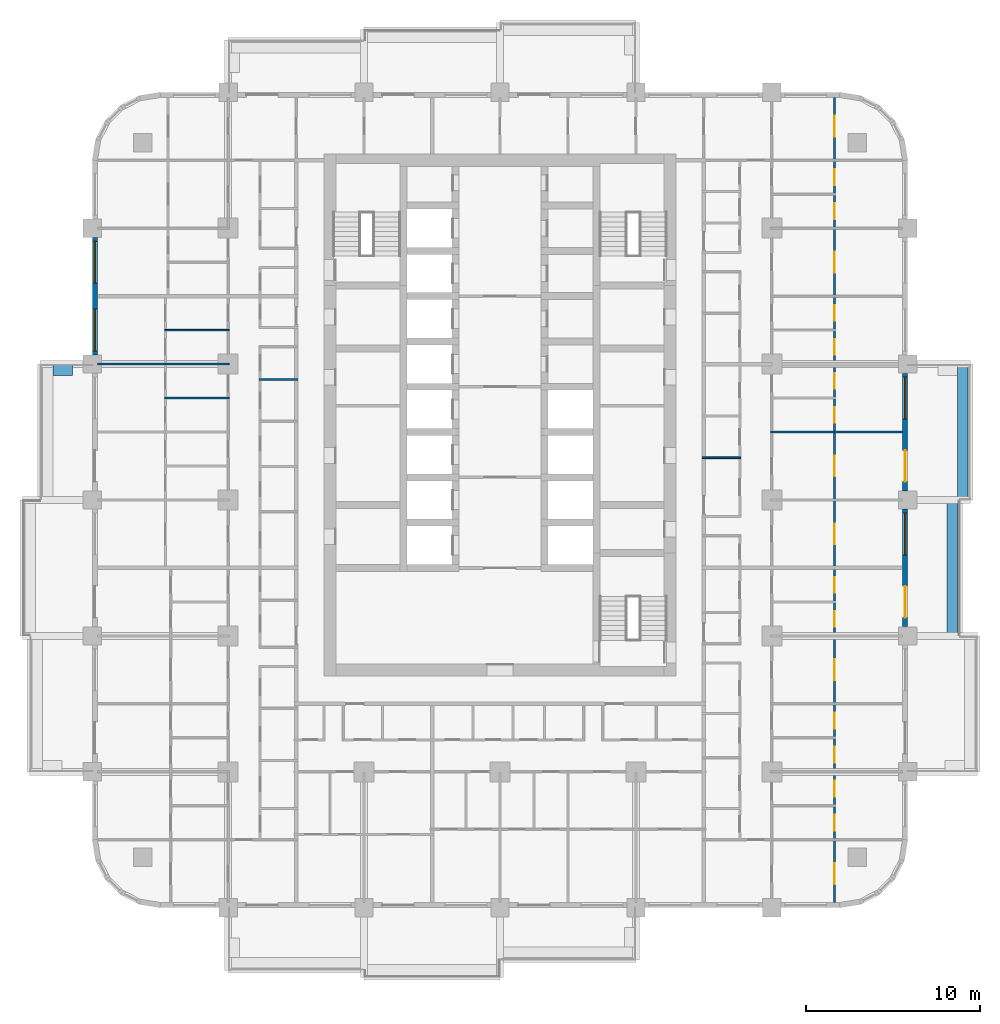
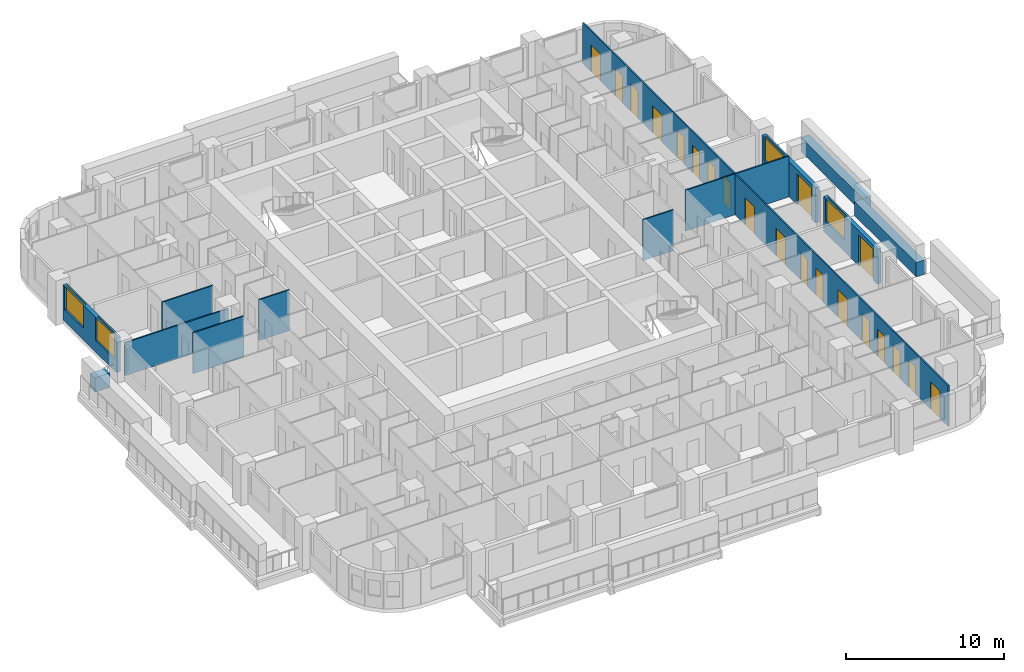
# One storey, part 9 of 17: 20 doors, 13 walls, 4 windows, 24 openings.
"""IFC4 building model written with IfcOpenShell, lengths in metres."""

import ifcopenshell
import ifcopenshell.guid

model = None  # the IFC model being written
_history = None  # IfcOwnerHistory: only IFC2X3 demands one
_inside = {}  # id of a spatial element -> (the spatial element, [elements in it])
_under = {}  # id of a project, library or spatial element -> (it, [spatial elements below it])
_declared = {}  # id of a project -> (the project, [libraries it declares])
_typed = {}  # id of a type object -> (the type object, [elements of that type])
_made_of = {}  # id of a material, layer set ... -> (it, [elements and type objects made of it])


def new_model(schema):
    """Start an empty IFC model of exactly this schema.

    Asked for "IFC4X3", IfcOpenShell would pick the latest addendum, in which some entities
    have other attributes; the version numbers below select the first issue.
    IFC2X3 requires an IfcOwnerHistory on every rooted entity: one is made here for all.
    """
    global model, _history
    if schema == "IFC4X3":
        model = ifcopenshell.file(schema_version=(4, 3, 0, 0))
    else:
        model = ifcopenshell.file(schema=schema)
    _inside.clear()
    _under.clear()
    _declared.clear()
    _typed.clear()
    _made_of.clear()
    _history = None
    if model.schema == "IFC2X3":
        org = make("IfcOrganization", Name="unknown")
        user = make(
            "IfcPersonAndOrganization",
            ThePerson=make("IfcPerson", FamilyName="unknown"),
            TheOrganization=org,
        )
        app = make(
            "IfcApplication",
            ApplicationDeveloper=org,
            Version="unknown",
            ApplicationFullName="unknown",
            ApplicationIdentifier="unknown",
        )
        _history = make(
            "IfcOwnerHistory",
            OwningUser=user,
            OwningApplication=app,
            ChangeAction="ADDED",
            CreationDate=0,
        )
    return model


def make(cls, **values):
    """One entity of the class cls with the attributes given. An attribute that is None is left unset."""
    return model.create_entity(
        cls, **{name: value for name, value in values.items() if value is not None}
    )


def rooted(cls, **values):
    """An entity with a GlobalId (a new one), such as an element, a storey or a relation."""
    return make(cls, GlobalId=ifcopenshell.guid.new(), OwnerHistory=_history, **values)


def si_unit(unit_type, name, prefix=None):
    """IfcSIUnit, for example si_unit("LENGTHUNIT", "METRE", prefix="MILLI")."""
    return make("IfcSIUnit", UnitType=unit_type, Prefix=prefix, Name=name)


def assignment(units):
    """IfcUnitAssignment: the units of a project."""
    return None if units is None else make("IfcUnitAssignment", Units=units)


def point(xyz):
    """IfcCartesianPoint."""
    return None if xyz is None else make("IfcCartesianPoint", Coordinates=xyz)


def direction(xyz):
    """IfcDirection."""
    return None if xyz is None else make("IfcDirection", DirectionRatios=xyz)


def frame(location, z_axis=None, x_axis=None):
    """IfcAxis2Placement3D, a coordinate frame: its origin and axes. An axis left out is left unset."""
    return make(
        "IfcAxis2Placement3D",
        Location=point(location),
        Axis=direction(z_axis),
        RefDirection=direction(x_axis),
    )


def frame_2d(location, x_axis=None):
    """IfcAxis2Placement2D, a coordinate frame in the plane: its origin and x axis."""
    return make(
        "IfcAxis2Placement2D", Location=point(location), RefDirection=direction(x_axis)
    )


def origin():
    """The frame at (0, 0, 0) with its axes left unset."""
    return frame((0.0, 0.0, 0.0))


def place(relative_to, where):
    """IfcLocalPlacement: puts the frame where relative to a parent placement (None: the world)."""
    return make(
        "IfcLocalPlacement", PlacementRelTo=relative_to, RelativePlacement=where
    )


def context(
    kind, dimensions, precision=None, world=None, true_north=None, identifier=None
):
    """IfcGeometricRepresentationContext, for example the 3D "Model" context."""
    return make(
        "IfcGeometricRepresentationContext",
        ContextIdentifier=identifier,
        ContextType=kind,
        CoordinateSpaceDimension=dimensions,
        Precision=precision,
        WorldCoordinateSystem=world,
        TrueNorth=true_north,
    )


def subcontext(parent, identifier, kind, view, scale=None):
    """IfcGeometricRepresentationSubContext, for example "Body" below "Model"."""
    return make(
        "IfcGeometricRepresentationSubContext",
        ContextIdentifier=identifier,
        ContextType=kind,
        ParentContext=parent,
        TargetScale=scale,
        TargetView=view,
    )


def project(units=None, contexts=None):
    """IfcProject with its units and contexts."""
    return rooted(
        "IfcProject",
        Name="project",
        RepresentationContexts=contexts,
        UnitsInContext=assignment(units),
    )


def spatial(cls, under=None, at=None, **own):
    """A site, building, storey or space (cls), placed at a placement, below another one or the project."""
    s = rooted(cls, ObjectPlacement=at, **own)
    if under is not None:
        _under.setdefault(under.id(), (under, []))[1].append(s)
    return s


def profile(cls, at=None, kind="AREA", **sizes):
    """A parametric profile (cls). Its sizes go by their IFC names, for example OverallWidth=200.0."""
    return make(cls, ProfileType=kind, Position=at, **sizes)


def rectangle(**sizes):
    """IfcRectangleProfileDef."""
    return profile("IfcRectangleProfileDef", **sizes)


def extrude(swept, where, along, depth):
    """IfcExtrudedAreaSolid: the profile swept, set in the frame where, extruded along a direction by depth."""
    return make(
        "IfcExtrudedAreaSolid",
        SweptArea=swept,
        Position=where,
        ExtrudedDirection=direction(along),
        Depth=depth,
    )


def shape(context_of_items, identifier, shape_type, items):
    """IfcShapeRepresentation: the items that make up one representation, for example the "Body"."""
    return make(
        "IfcShapeRepresentation",
        ContextOfItems=context_of_items,
        RepresentationIdentifier=identifier,
        RepresentationType=shape_type,
        Items=items,
    )


def material(Name=None, Category=None):
    """IfcMaterial."""
    return make("IfcMaterial", Name=Name, Category=Category)


def layer(
    of_material, thickness, ventilated=None, Name=None, Category=None, Priority=None
):
    """IfcMaterialLayer: one layer of a wall or slab, of a material (None: an air gap)."""
    return make(
        "IfcMaterialLayer",
        Material=of_material,
        LayerThickness=thickness,
        IsVentilated=ventilated,
        Name=Name,
        Category=Category,
        Priority=Priority,
    )


def layer_set(layers, Name=None):
    """IfcMaterialLayerSet."""
    return make("IfcMaterialLayerSet", MaterialLayers=layers, LayerSetName=Name)


def made_of(thing, what):
    """Note that an element or type object is made of a material, layer set ...; save() writes the relation."""
    if what is not None:
        _made_of.setdefault(what.id(), (what, []))[1].append(thing)
    return thing


def type_object(cls, material=None, **own):
    """A type object (cls), such as IfcWallType, which elements share."""
    return made_of(rooted(cls, **own), material)


def element(
    cls,
    number,
    at=None,
    inside=None,
    cuts=None,
    type_object=None,
    material=None,
    context=None,
    identifier="Body",
    shape_type=None,
    held_by="IfcProductDefinitionShape",
    body=None,
    shapes=None,
    **own,
):
    """One element of the class cls, such as IfcWall. Its Tag is "e" and its number.

    at: its placement. inside: the storey or other place that contains it. cuts: it is an
    opening in that element (IfcRelVoidsElement). A single representation is given by context,
    identifier, shape_type and body (its items); several are given by shapes. held_by: the class
    of the entity that holds the representations. save() writes the other relations.
    """
    e = rooted(cls, Tag="e%d" % number, ObjectPlacement=at, **own)
    if body is not None:
        shapes = [shape(context, identifier, shape_type, body)]
    if shapes is not None:
        e.Representation = make(held_by, Representations=shapes)
    if inside is not None:
        _inside.setdefault(inside.id(), (inside, []))[1].append(e)
    if cuts is not None:
        rooted(
            "IfcRelVoidsElement", RelatingBuildingElement=cuts, RelatedOpeningElement=e
        )
    if type_object is not None:
        _typed.setdefault(type_object.id(), (type_object, []))[1].append(e)
    return made_of(e, material)


def fill(opening, filler):
    """IfcRelFillsElement: the door or window that sits in an opening."""
    return rooted(
        "IfcRelFillsElement",
        RelatingOpeningElement=opening,
        RelatedBuildingElement=filler,
    )


def aggregate(whole, parts):
    """IfcRelAggregates: a whole, such as a stair, and the parts it consists of."""
    return rooted("IfcRelAggregates", RelatingObject=whole, RelatedObjects=parts)


def save(model, path):
    """Write the relations noted so far, then the file.

    IfcRelAggregates (storeys below a building ...), IfcRelContainedInSpatialStructure (elements
    in a storey), IfcRelDefinesByType, IfcRelAssociatesMaterial and IfcRelDeclares: one each for
    every whole, place, type object, material and project.
    """
    for whole, parts in _under.values():
        aggregate(whole, parts)
    for where, things in _inside.values():
        rooted(
            "IfcRelContainedInSpatialStructure",
            RelatedElements=things,
            RelatingStructure=where,
        )
    for kind, things in _typed.values():
        rooted("IfcRelDefinesByType", RelatedObjects=things, RelatingType=kind)
    for what, things in _made_of.values():
        rooted("IfcRelAssociatesMaterial", RelatedObjects=things, RelatingMaterial=what)
    for by, libraries in _declared.values():
        rooted("IfcRelDeclares", RelatingContext=by, RelatedDefinitions=libraries)
    model.write(path)


model = new_model("IFC4")

# Units and contexts
model_context = context("Model", 3, precision=1e-05, world=origin(), true_north=direction((0.0, 1.0)))
body_context = subcontext(model_context, "Body", "Model", "MODEL_VIEW")
ifc_project = project(units=[si_unit("LENGTHUNIT", "METRE"), si_unit("AREAUNIT", "SQUARE_METRE"), si_unit("VOLUMEUNIT", "CUBIC_METRE"), si_unit("PLANEANGLEUNIT", "RADIAN"), si_unit("MASSUNIT", "GRAM", prefix="KILO")], contexts=[model_context])

# Site, building, storey
site_placement = place(None, origin())
site = spatial("IfcSite", under=ifc_project, at=site_placement, CompositionType="ELEMENT")
building_placement = place(site_placement, origin())
building = spatial("IfcBuilding", under=site, at=building_placement, Name="Ludao Terraces", CompositionType="ELEMENT")
storey_placement = place(building_placement, frame((0.0, 0.0, 51.199951171875)))
storey = spatial("IfcBuildingStorey", under=building, at=storey_placement, Name="L13", CompositionType="ELEMENT", Elevation=51.199951171875)

# Walls
ifc_material_1 = material(Name="Concrete C40", Category="concrete")
ifc_layer_1 = layer(ifc_material_1, 0.60009765625)
ifc_layer_set_1 = layer_set([ifc_layer_1], Name="ENV Planter trough 600")
wall_type_1 = type_object("IfcWallType", Name="ENV Planter trough 600", PredefinedType="USERDEFINED", material=ifc_layer_set_1)
for number, where, z_axis, x_axis, name in (
    (1, (110.949951171875, 57.199951171875, 0.0), (0.0, 0.0, 1.0), (0.0, 1.0, 0.0), "PL-L13-E2"),
    (2, (111.550048828125, 65.0, 0.0), (0.0, 0.0, 1.0), (0.0, 1.0, 0.0), "PL-L13-E3"),
):
    element("IfcWall", number, at=place(storey_placement, frame(where, z_axis=z_axis, x_axis=x_axis)), inside=storey, type_object=wall_type_1, Name=name, ObjectType="PLANTER", PredefinedType="USERDEFINED", context=body_context, shape_type="SweptSolid", body=[
        extrude(rectangle(XDim=7.800048828125, YDim=0.60009765625, at=frame_2d((3.89990234375, 0.0))), origin(), (0.0, 0.0, 1.0), 1.10009765625),
    ])
wall_1_placement = place(storey_placement, frame((59.35009765625, 72.449951171875, 0.0), z_axis=(0.0, 0.0, 1.0), x_axis=(1.0, 0.0, 0.0)))
element("IfcWall", 3, at=wall_1_placement, inside=storey, type_object=wall_type_1, Name="PL-L13-W3-SB", ObjectType="PLANTER", PredefinedType="USERDEFINED", context=body_context, shape_type="SweptSolid", body=[
    extrude(rectangle(XDim=1.099853515625, YDim=0.60009765625, at=frame_2d((0.5498046875, 0.0))), origin(), (0.0, 0.0, 1.0), 1.10009765625),
])

# Wall, openings, door, window
ifc_material_2 = material(Name="Granite cladding", Category="masonry")
ifc_layer_2 = layer(ifc_material_2, 0.0400390625, Category="stone")
ifc_material_3 = material(Name="Mineral wool")
ifc_layer_3 = layer(ifc_material_3, 0.06005859375)
ifc_layer_4 = layer(ifc_material_1, 0.199951171875, Category="concrete")
ifc_layer_set_2 = layer_set([ifc_layer_2, ifc_layer_3, ifc_layer_4], Name="ENV Stone-clad wall 300")
wall_type_2 = type_object("IfcWallType", Name="ENV Stone-clad wall 300", PredefinedType="SOLIDWALL", material=ifc_layer_set_2)
wall_2_placement = place(storey_placement, frame((108.25, 57.72509765625, 0.0), z_axis=(0.0, 0.0, 1.0), x_axis=(0.0, 1.0, 0.0)))
wall_2 = element("IfcWall", 4, at=wall_2_placement, inside=storey, type_object=wall_type_2, Name="EW-L13-E3", PredefinedType="SOLIDWALL", context=body_context, shape_type="SweptSolid", body=[
    extrude(rectangle(XDim=6.75, YDim=0.300048828125, at=frame_2d((3.375, 0.0))), origin(), (0.0, 0.0, 1.0), 2.699951171875),
])
opening_1_placement = place(wall_2_placement, frame((0.52490234375, 0.0, 0.0)))
opening_1 = element("IfcOpeningElement", 5, at=opening_1_placement, cuts=wall_2, Name="Opening BD", PredefinedType="OPENING", context=body_context, shape_type="SweptSolid", body=[
    extrude(rectangle(XDim=1.800048828125, YDim=2.39990234375, at=frame_2d((0.89990234375, 1.199951171875))), frame((0.0, 0.16015625, 0.0), z_axis=(0.0, -1.0, 0.0), x_axis=(1.0, 0.0, 0.0)), (0.0, 0.0, 1.0), 0.320068359375),
])
opening_2_placement = place(wall_2_placement, frame((4.125, 0.0, 0.89990234375)))
opening_2 = element("IfcOpeningElement", 6, at=opening_2_placement, cuts=wall_2, Name="Opening W1", PredefinedType="OPENING", context=body_context, shape_type="SweptSolid", body=[
    extrude(rectangle(XDim=2.39990234375, YDim=1.800048828125, at=frame_2d((1.199951171875, 0.89990234375))), frame((0.0, 0.16015625, 0.0), z_axis=(0.0, -1.0, 0.0), x_axis=(1.0, 0.0, 0.0)), (0.0, 0.0, 1.0), 0.320068359375),
])
ifc_material_4 = material(Name="Aluminium glazed door", Category="aluminium")
ifc_layer_5 = layer(ifc_material_4, 0.06005859375)
ifc_layer_set_3 = layer_set([ifc_layer_5], Name="ENV Balcony door BD 1800x2400")
door_type_1 = type_object("IfcDoorType", Name="ENV Balcony door BD 1800x2400", OperationType="DOUBLE_DOOR_SINGLE_SWING", PredefinedType="DOOR", material=ifc_layer_set_3)
door_1_placement = place(opening_1_placement, origin())
door_1 = element("IfcDoor", 7, at=door_1_placement, inside=storey, type_object=door_type_1, Name="BD-L13-E3-1", OperationType="DOUBLE_DOOR_SINGLE_SWING", OverallHeight=2.39990234375, OverallWidth=1.800048828125, PredefinedType="DOOR", context=body_context, shape_type="SweptSolid", body=[
    extrude(rectangle(XDim=1.800048828125, YDim=2.39990234375, at=frame_2d((0.89990234375, 1.199951171875))), frame((0.0, 0.02490234375, 0.0), z_axis=(0.0, -1.0, 0.0), x_axis=(1.0, 0.0, 0.0)), (0.0, 0.0, 1.0), 0.050048828125),
])
fill(opening_1, door_1)
ifc_material_5 = material(Name="Clear glass in aluminium frame", Category="aluminium")
ifc_layer_6 = layer(ifc_material_5, 0.06005859375)
ifc_layer_set_4 = layer_set([ifc_layer_6], Name="ENV Window W1 2400x1800")
window_type = type_object("IfcWindowType", Name="ENV Window W1 2400x1800", PartitioningType="DOUBLE_PANEL_VERTICAL", PredefinedType="WINDOW", material=ifc_layer_set_4)
window_1_placement = place(opening_2_placement, origin())
window_1 = element("IfcWindow", 8, at=window_1_placement, inside=storey, type_object=window_type, Name="W-L13-E3-2", OverallHeight=1.800048828125, OverallWidth=2.39990234375, PartitioningType="DOUBLE_PANEL_VERTICAL", PredefinedType="WINDOW", context=body_context, shape_type="SweptSolid", body=[
    extrude(rectangle(XDim=2.39990234375, YDim=1.800048828125, at=frame_2d((1.199951171875, 0.89990234375))), frame((0.0, 0.030029296875, 0.0), z_axis=(0.0, -1.0, 0.0), x_axis=(1.0, 0.0, 0.0)), (0.0, 0.0, 1.0), 0.06005859375),
])
fill(opening_2, window_1)

wall_3_placement = place(storey_placement, frame((108.25, 65.52490234375, 0.0), z_axis=(0.0, 0.0, 1.0), x_axis=(0.0, 1.0, 0.0)))
wall_3 = element("IfcWall", 9, at=wall_3_placement, inside=storey, type_object=wall_type_2, Name="EW-L13-E4", PredefinedType="SOLIDWALL", context=body_context, shape_type="SweptSolid", body=[
    extrude(rectangle(XDim=6.75, YDim=0.300048828125, at=frame_2d((3.375, 0.0))), origin(), (0.0, 0.0, 1.0), 2.699951171875),
])
opening_3_placement = place(wall_3_placement, frame((0.52490234375, 0.0, 0.0)))
opening_3 = element("IfcOpeningElement", 10, at=opening_3_placement, cuts=wall_3, Name="Opening BD", PredefinedType="OPENING", context=body_context, shape_type="SweptSolid", body=[
    extrude(rectangle(XDim=1.800048828125, YDim=2.39990234375, at=frame_2d((0.89990234375, 1.199951171875))), frame((0.0, 0.16015625, 0.0), z_axis=(0.0, -1.0, 0.0), x_axis=(1.0, 0.0, 0.0)), (0.0, 0.0, 1.0), 0.320068359375),
])
opening_4_placement = place(wall_3_placement, frame((4.125, 0.0, 0.89990234375)))
opening_4 = element("IfcOpeningElement", 11, at=opening_4_placement, cuts=wall_3, Name="Opening W1", PredefinedType="OPENING", context=body_context, shape_type="SweptSolid", body=[
    extrude(rectangle(XDim=2.39990234375, YDim=1.800048828125, at=frame_2d((1.199951171875, 0.89990234375))), frame((0.0, 0.16015625, 0.0), z_axis=(0.0, -1.0, 0.0), x_axis=(1.0, 0.0, 0.0)), (0.0, 0.0, 1.0), 0.320068359375),
])
door_2_placement = place(opening_3_placement, origin())
door_2 = element("IfcDoor", 12, at=door_2_placement, inside=storey, type_object=door_type_1, Name="BD-L13-E4-1", OperationType="DOUBLE_DOOR_SINGLE_SWING", OverallHeight=2.39990234375, OverallWidth=1.800048828125, PredefinedType="DOOR", context=body_context, shape_type="SweptSolid", body=[
    extrude(rectangle(XDim=1.800048828125, YDim=2.39990234375, at=frame_2d((0.89990234375, 1.199951171875))), frame((0.0, 0.02490234375, 0.0), z_axis=(0.0, -1.0, 0.0), x_axis=(1.0, 0.0, 0.0)), (0.0, 0.0, 1.0), 0.050048828125),
])
fill(opening_3, door_2)
window_2_placement = place(opening_4_placement, origin())
window_2 = element("IfcWindow", 13, at=window_2_placement, inside=storey, type_object=window_type, Name="W-L13-E4-2", OverallHeight=1.800048828125, OverallWidth=2.39990234375, PartitioningType="DOUBLE_PANEL_VERTICAL", PredefinedType="WINDOW", context=body_context, shape_type="SweptSolid", body=[
    extrude(rectangle(XDim=2.39990234375, YDim=1.800048828125, at=frame_2d((1.199951171875, 0.89990234375))), frame((0.0, 0.030029296875, 0.0), z_axis=(0.0, -1.0, 0.0), x_axis=(1.0, 0.0, 0.0)), (0.0, 0.0, 1.0), 0.06005859375),
])
fill(opening_4, window_2)

# Wall, openings, windows
wall_4_placement = place(storey_placement, frame((61.75, 73.324951171875, 0.0), z_axis=(0.0, 0.0, 1.0), x_axis=(0.0, 1.0, 0.0)))
wall_4 = element("IfcWall", 14, at=wall_4_placement, inside=storey, type_object=wall_type_2, Name="EW-L13-W5", PredefinedType="SOLIDWALL", context=body_context, shape_type="SweptSolid", body=[
    extrude(rectangle(XDim=6.75, YDim=0.300048828125, at=frame_2d((3.375, 0.0))), origin(), (0.0, 0.0, 1.0), 2.699951171875),
])
opening_5_placement = place(wall_4_placement, frame((0.22509765625, 0.0, 0.89990234375)))
opening_5 = element("IfcOpeningElement", 15, at=opening_5_placement, cuts=wall_4, Name="Opening W1", PredefinedType="OPENING", context=body_context, shape_type="SweptSolid", body=[
    extrude(rectangle(XDim=2.39990234375, YDim=1.800048828125, at=frame_2d((1.199951171875, 0.89990234375))), frame((0.0, 0.16015625, 0.0), z_axis=(0.0, -1.0, 0.0), x_axis=(1.0, 0.0, 0.0)), (0.0, 0.0, 1.0), 0.320068359375),
])
opening_6_placement = place(wall_4_placement, frame((4.125, 0.0, 0.89990234375)))
opening_6 = element("IfcOpeningElement", 16, at=opening_6_placement, cuts=wall_4, Name="Opening W1", PredefinedType="OPENING", context=body_context, shape_type="SweptSolid", body=[
    extrude(rectangle(XDim=2.39990234375, YDim=1.800048828125, at=frame_2d((1.199951171875, 0.89990234375))), frame((0.0, 0.16015625, 0.0), z_axis=(0.0, -1.0, 0.0), x_axis=(1.0, 0.0, 0.0)), (0.0, 0.0, 1.0), 0.320068359375),
])
window_3_placement = place(opening_5_placement, origin())
window_3 = element("IfcWindow", 17, at=window_3_placement, inside=storey, type_object=window_type, Name="W-L13-W5-1", OverallHeight=1.800048828125, OverallWidth=2.39990234375, PartitioningType="DOUBLE_PANEL_VERTICAL", PredefinedType="WINDOW", context=body_context, shape_type="SweptSolid", body=[
    extrude(rectangle(XDim=2.39990234375, YDim=1.800048828125, at=frame_2d((1.199951171875, 0.89990234375))), frame((0.0, 0.030029296875, 0.0), z_axis=(0.0, -1.0, 0.0), x_axis=(1.0, 0.0, 0.0)), (0.0, 0.0, 1.0), 0.06005859375),
])
fill(opening_5, window_3)
window_4_placement = place(opening_6_placement, origin())
window_4 = element("IfcWindow", 18, at=window_4_placement, inside=storey, type_object=window_type, Name="W-L13-W5-2", OverallHeight=1.800048828125, OverallWidth=2.39990234375, PartitioningType="DOUBLE_PANEL_VERTICAL", PredefinedType="WINDOW", context=body_context, shape_type="SweptSolid", body=[
    extrude(rectangle(XDim=2.39990234375, YDim=1.800048828125, at=frame_2d((1.199951171875, 0.89990234375))), frame((0.0, 0.030029296875, 0.0), z_axis=(0.0, -1.0, 0.0), x_axis=(1.0, 0.0, 0.0)), (0.0, 0.0, 1.0), 0.06005859375),
])
fill(opening_6, window_4)

# Walls
ifc_material_6 = material(Name="Gypsum plasterboard", Category="gypsum")
ifc_layer_7 = layer(ifc_material_6, 0.012451171875, Category="gypsum")
ifc_layer_8 = layer(ifc_material_3, 0.06005859375, Name="insulation")
ifc_material_7 = material(Name="Steel Q235", Category="steel")
ifc_layer_9 = layer(ifc_material_7, 0.014892578125, Name="stud")
ifc_layer_10 = layer(ifc_material_6, 0.012451171875, Category="gypsum")
ifc_layer_set_5 = layer_set([ifc_layer_7, ifc_layer_8, ifc_layer_9, ifc_layer_10], Name="INT Partition 100")
wall_type_3 = type_object("IfcWallType", Name="INT Partition 100", PredefinedType="PARTITIONING", material=ifc_layer_set_5)
wall_5_placement = place(storey_placement, frame((96.60009765625, 67.419921875, 0.0), z_axis=(0.0, 0.0, 1.0), x_axis=(1.0, 0.0, 0.0)))
element("IfcWall", 19, at=wall_5_placement, inside=storey, type_object=wall_type_3, Name="PW-L13-PW044", PredefinedType="PARTITIONING", context=body_context, shape_type="SweptSolid", body=[
    extrude(rectangle(XDim=2.219970703125, YDim=0.10009765625, at=frame_2d((1.10986328125, 0.0))), origin(), (0.0, 0.0, 1.0), 3.150146484375),
])
wall_6_placement = place(storey_placement, frame((100.550048828125, 68.89990234375, 0.0), z_axis=(0.0, 0.0, 1.0), x_axis=(1.0, 0.0, 0.0)))
element("IfcWall", 20, at=wall_6_placement, inside=storey, type_object=wall_type_3, Name="PW-L13-PW046", PredefinedType="PARTITIONING", context=body_context, shape_type="SweptSolid", body=[
    extrude(rectangle(XDim=7.550048828125, YDim=0.10009765625, at=frame_2d((3.77490234375, 0.0))), origin(), (0.0, 0.0, 1.0), 3.150146484375),
])
wall_7_placement = place(storey_placement, frame((65.75, 70.85009765625, 0.0), z_axis=(0.0, 0.0, 1.0), x_axis=(1.0, 0.0, 0.0)))
element("IfcWall", 21, at=wall_7_placement, inside=storey, type_object=wall_type_3, Name="PW-L13-PW051", PredefinedType="PARTITIONING", context=body_context, shape_type="SweptSolid", body=[
    extrude(rectangle(XDim=3.7001953125, YDim=0.10009765625, at=frame_2d((1.85009765625, 0.0))), origin(), (0.0, 0.0, 1.0), 3.150146484375),
])
wall_8_placement = place(storey_placement, frame((71.18017578125, 71.919921875, 0.0), z_axis=(0.0, 0.0, 1.0), x_axis=(1.0, 0.0, 0.0)))
element("IfcWall", 22, at=wall_8_placement, inside=storey, type_object=wall_type_3, Name="PW-L13-PW054", PredefinedType="PARTITIONING", context=body_context, shape_type="SweptSolid", body=[
    extrude(rectangle(XDim=2.219970703125, YDim=0.10009765625, at=frame_2d((1.10986328125, 0.0))), origin(), (0.0, 0.0, 1.0), 3.150146484375),
])
wall_9_placement = place(storey_placement, frame((61.900146484375, 72.800048828125, 0.0), z_axis=(0.0, 0.0, 1.0), x_axis=(1.0, 0.0, 0.0)))
element("IfcWall", 23, at=wall_9_placement, inside=storey, type_object=wall_type_3, Name="PW-L13-PW055", PredefinedType="PARTITIONING", context=body_context, shape_type="SweptSolid", body=[
    extrude(rectangle(XDim=7.550048828125, YDim=0.10009765625, at=frame_2d((3.77490234375, 0.0))), origin(), (0.0, 0.0, 1.0), 2.550048828125),
])
wall_10_placement = place(storey_placement, frame((65.75, 74.75, 0.0), z_axis=(0.0, 0.0, 1.0), x_axis=(1.0, 0.0, 0.0)))
element("IfcWall", 24, at=wall_10_placement, inside=storey, type_object=wall_type_3, Name="PW-L13-PW058", PredefinedType="PARTITIONING", context=body_context, shape_type="SweptSolid", body=[
    extrude(rectangle(XDim=3.7001953125, YDim=0.10009765625, at=frame_2d((1.85009765625, 0.0))), origin(), (0.0, 0.0, 1.0), 3.150146484375),
])

# Wall, openings, doors
wall_11_placement = place(storey_placement, frame((104.199951171875, 41.900146484375, 0.0), z_axis=(0.0, 0.0, 1.0), x_axis=(0.0, 1.0, 0.0)))
wall_11 = element("IfcWall", 25, at=wall_11_placement, inside=storey, type_object=wall_type_3, Name="PW-L13-PW121", PredefinedType="PARTITIONING", context=body_context, shape_type="SweptSolid", body=[
    extrude(rectangle(XDim=46.199951171875, YDim=0.10009765625, at=frame_2d((23.10009765625, 0.0))), origin(), (0.0, 0.0, 1.0), 3.150146484375),
])
opening_7_placement = place(wall_11_placement, frame((1.050048828125, 0.0, 0.0)))
opening_7 = element("IfcOpeningElement", 26, at=opening_7_placement, cuts=wall_11, Name="Opening R04-004", PredefinedType="OPENING", context=body_context, shape_type="SweptSolid", body=[
    extrude(rectangle(XDim=1.199951171875, YDim=2.10009765625, at=frame_2d((0.60009765625, 1.050048828125))), frame((0.0, 0.06005859375, 0.0), z_axis=(0.0, -1.0, 0.0), x_axis=(1.0, 0.0, 0.0)), (0.0, 0.0, 1.0), 0.1201171875),
])
opening_8_placement = place(wall_11_placement, frame((4.125, 0.0, 0.0)))
opening_8 = element("IfcOpeningElement", 27, at=opening_8_placement, cuts=wall_11, Name="Opening R04-019", PredefinedType="OPENING", context=body_context, shape_type="SweptSolid", body=[
    extrude(rectangle(XDim=0.89990234375, YDim=2.10009765625, at=frame_2d((0.449951171875, 1.050048828125))), frame((0.0, 0.06005859375, 0.0), z_axis=(0.0, -1.0, 0.0), x_axis=(1.0, 0.0, 0.0)), (0.0, 0.0, 1.0), 0.1201171875),
])
opening_9_placement = place(wall_11_placement, frame((6.074951171875, 0.0, 0.0)))
opening_9 = element("IfcOpeningElement", 28, at=opening_9_placement, cuts=wall_11, Name="Opening R04-023", PredefinedType="OPENING", context=body_context, shape_type="SweptSolid", body=[
    extrude(rectangle(XDim=0.89990234375, YDim=2.10009765625, at=frame_2d((0.449951171875, 1.050048828125))), frame((0.0, 0.06005859375, 0.0), z_axis=(0.0, -1.0, 0.0), x_axis=(1.0, 0.0, 0.0)), (0.0, 0.0, 1.0), 0.1201171875),
])
opening_10_placement = place(wall_11_placement, frame((8.02490234375, 0.0, 0.0)))
opening_10 = element("IfcOpeningElement", 29, at=opening_10_placement, cuts=wall_11, Name="Opening R04-033", PredefinedType="OPENING", context=body_context, shape_type="SweptSolid", body=[
    extrude(rectangle(XDim=0.89990234375, YDim=2.10009765625, at=frame_2d((0.449951171875, 1.050048828125))), frame((0.0, 0.06005859375, 0.0), z_axis=(0.0, -1.0, 0.0), x_axis=(1.0, 0.0, 0.0)), (0.0, 0.0, 1.0), 0.1201171875),
])
opening_11_placement = place(wall_11_placement, frame((9.97509765625, 0.0, 0.0)))
opening_11 = element("IfcOpeningElement", 30, at=opening_11_placement, cuts=wall_11, Name="Opening R04-048", PredefinedType="OPENING", context=body_context, shape_type="SweptSolid", body=[
    extrude(rectangle(XDim=0.89990234375, YDim=2.10009765625, at=frame_2d((0.449951171875, 1.050048828125))), frame((0.0, 0.06005859375, 0.0), z_axis=(0.0, -1.0, 0.0), x_axis=(1.0, 0.0, 0.0)), (0.0, 0.0, 1.0), 0.1201171875),
])
opening_12_placement = place(wall_11_placement, frame((12.75, 0.0, 0.0)))
opening_12 = element("IfcOpeningElement", 31, at=opening_12_placement, cuts=wall_11, Name="Opening R04-057", PredefinedType="OPENING", context=body_context, shape_type="SweptSolid", body=[
    extrude(rectangle(XDim=1.199951171875, YDim=2.10009765625, at=frame_2d((0.60009765625, 1.050048828125))), frame((0.0, 0.06005859375, 0.0), z_axis=(0.0, -1.0, 0.0), x_axis=(1.0, 0.0, 0.0)), (0.0, 0.0, 1.0), 0.1201171875),
])
opening_13_placement = place(wall_11_placement, frame((15.824951171875, 0.0, 0.0)))
opening_13 = element("IfcOpeningElement", 32, at=opening_13_placement, cuts=wall_11, Name="Opening R04-065", PredefinedType="OPENING", context=body_context, shape_type="SweptSolid", body=[
    extrude(rectangle(XDim=0.89990234375, YDim=2.10009765625, at=frame_2d((0.449951171875, 1.050048828125))), frame((0.0, 0.06005859375, 0.0), z_axis=(0.0, -1.0, 0.0), x_axis=(1.0, 0.0, 0.0)), (0.0, 0.0, 1.0), 0.1201171875),
])
opening_14_placement = place(wall_11_placement, frame((17.77490234375, 0.0, 0.0)))
opening_14 = element("IfcOpeningElement", 33, at=opening_14_placement, cuts=wall_11, Name="Opening R04-070", PredefinedType="OPENING", context=body_context, shape_type="SweptSolid", body=[
    extrude(rectangle(XDim=0.89990234375, YDim=2.10009765625, at=frame_2d((0.449951171875, 1.050048828125))), frame((0.0, 0.06005859375, 0.0), z_axis=(0.0, -1.0, 0.0), x_axis=(1.0, 0.0, 0.0)), (0.0, 0.0, 1.0), 0.1201171875),
])
opening_15_placement = place(wall_11_placement, frame((20.550048828125, 0.0, 0.0)))
opening_15 = element("IfcOpeningElement", 34, at=opening_15_placement, cuts=wall_11, Name="Opening R04-080", PredefinedType="OPENING", context=body_context, shape_type="SweptSolid", body=[
    extrude(rectangle(XDim=1.199951171875, YDim=2.10009765625, at=frame_2d((0.60009765625, 1.050048828125))), frame((0.0, 0.06005859375, 0.0), z_axis=(0.0, -1.0, 0.0), x_axis=(1.0, 0.0, 0.0)), (0.0, 0.0, 1.0), 0.1201171875),
])
opening_16_placement = place(wall_11_placement, frame((24.449951171875, 0.0, 0.0)))
opening_16 = element("IfcOpeningElement", 35, at=opening_16_placement, cuts=wall_11, Name="Opening R04-089", PredefinedType="OPENING", context=body_context, shape_type="SweptSolid", body=[
    extrude(rectangle(XDim=1.199951171875, YDim=2.10009765625, at=frame_2d((0.60009765625, 1.050048828125))), frame((0.0, 0.06005859375, 0.0), z_axis=(0.0, -1.0, 0.0), x_axis=(1.0, 0.0, 0.0)), (0.0, 0.0, 1.0), 0.1201171875),
])
opening_17_placement = place(wall_11_placement, frame((27.52490234375, 0.0, 0.0)))
opening_17 = element("IfcOpeningElement", 36, at=opening_17_placement, cuts=wall_11, Name="Opening R04-098", PredefinedType="OPENING", context=body_context, shape_type="SweptSolid", body=[
    extrude(rectangle(XDim=0.89990234375, YDim=2.10009765625, at=frame_2d((0.449951171875, 1.050048828125))), frame((0.0, 0.06005859375, 0.0), z_axis=(0.0, -1.0, 0.0), x_axis=(1.0, 0.0, 0.0)), (0.0, 0.0, 1.0), 0.1201171875),
])
opening_18_placement = place(wall_11_placement, frame((29.47509765625, 0.0, 0.0)))
opening_18 = element("IfcOpeningElement", 37, at=opening_18_placement, cuts=wall_11, Name="Opening R04-106", PredefinedType="OPENING", context=body_context, shape_type="SweptSolid", body=[
    extrude(rectangle(XDim=0.89990234375, YDim=2.10009765625, at=frame_2d((0.449951171875, 1.050048828125))), frame((0.0, 0.06005859375, 0.0), z_axis=(0.0, -1.0, 0.0), x_axis=(1.0, 0.0, 0.0)), (0.0, 0.0, 1.0), 0.1201171875),
])
opening_19_placement = place(wall_11_placement, frame((31.425048828125, 0.0, 0.0)))
opening_19 = element("IfcOpeningElement", 38, at=opening_19_placement, cuts=wall_11, Name="Opening R04-113", PredefinedType="OPENING", context=body_context, shape_type="SweptSolid", body=[
    extrude(rectangle(XDim=0.89990234375, YDim=2.10009765625, at=frame_2d((0.449951171875, 1.050048828125))), frame((0.0, 0.06005859375, 0.0), z_axis=(0.0, -1.0, 0.0), x_axis=(1.0, 0.0, 0.0)), (0.0, 0.0, 1.0), 0.1201171875),
])
opening_20_placement = place(wall_11_placement, frame((33.375, 0.0, 0.0)))
opening_20 = element("IfcOpeningElement", 39, at=opening_20_placement, cuts=wall_11, Name="Opening R04-123", PredefinedType="OPENING", context=body_context, shape_type="SweptSolid", body=[
    extrude(rectangle(XDim=0.89990234375, YDim=2.10009765625, at=frame_2d((0.449951171875, 1.050048828125))), frame((0.0, 0.06005859375, 0.0), z_axis=(0.0, -1.0, 0.0), x_axis=(1.0, 0.0, 0.0)), (0.0, 0.0, 1.0), 0.1201171875),
])
opening_21_placement = place(wall_11_placement, frame((36.14990234375, 0.0, 0.0)))
opening_21 = element("IfcOpeningElement", 40, at=opening_21_placement, cuts=wall_11, Name="Opening R04-134", PredefinedType="OPENING", context=body_context, shape_type="SweptSolid", body=[
    extrude(rectangle(XDim=1.199951171875, YDim=2.10009765625, at=frame_2d((0.60009765625, 1.050048828125))), frame((0.0, 0.06005859375, 0.0), z_axis=(0.0, -1.0, 0.0), x_axis=(1.0, 0.0, 0.0)), (0.0, 0.0, 1.0), 0.1201171875),
])
opening_22_placement = place(wall_11_placement, frame((39.22509765625, 0.0, 0.0)))
opening_22 = element("IfcOpeningElement", 41, at=opening_22_placement, cuts=wall_11, Name="Opening R04-143", PredefinedType="OPENING", context=body_context, shape_type="SweptSolid", body=[
    extrude(rectangle(XDim=0.89990234375, YDim=2.10009765625, at=frame_2d((0.449951171875, 1.050048828125))), frame((0.0, 0.06005859375, 0.0), z_axis=(0.0, -1.0, 0.0), x_axis=(1.0, 0.0, 0.0)), (0.0, 0.0, 1.0), 0.1201171875),
])
opening_23_placement = place(wall_11_placement, frame((41.175048828125, 0.0, 0.0)))
opening_23 = element("IfcOpeningElement", 42, at=opening_23_placement, cuts=wall_11, Name="Opening R04-151", PredefinedType="OPENING", context=body_context, shape_type="SweptSolid", body=[
    extrude(rectangle(XDim=0.89990234375, YDim=2.10009765625, at=frame_2d((0.449951171875, 1.050048828125))), frame((0.0, 0.06005859375, 0.0), z_axis=(0.0, -1.0, 0.0), x_axis=(1.0, 0.0, 0.0)), (0.0, 0.0, 1.0), 0.1201171875),
])
opening_24_placement = place(wall_11_placement, frame((43.949951171875, 0.0, 0.0)))
opening_24 = element("IfcOpeningElement", 43, at=opening_24_placement, cuts=wall_11, Name="Opening R04-164", PredefinedType="OPENING", context=body_context, shape_type="SweptSolid", body=[
    extrude(rectangle(XDim=1.199951171875, YDim=2.10009765625, at=frame_2d((0.60009765625, 1.050048828125))), frame((0.0, 0.06005859375, 0.0), z_axis=(0.0, -1.0, 0.0), x_axis=(1.0, 0.0, 0.0)), (0.0, 0.0, 1.0), 0.1201171875),
])
ifc_material_8 = material(Name="Timber door leaf", Category="wood")
door_type_2 = type_object("IfcDoorType", Name="INT Bathroom door 900", OperationType="SINGLE_SWING_LEFT", PredefinedType="DOOR", material=ifc_material_8)
door_3_placement = place(opening_8_placement, origin())
door_3 = element("IfcDoor", 44, at=door_3_placement, inside=storey, type_object=door_type_2, Name="DOOR 019", OperationType="SINGLE_SWING_LEFT", OverallHeight=2.10009765625, OverallWidth=0.89990234375, PredefinedType="DOOR", context=body_context, shape_type="SweptSolid", body=[
    extrude(rectangle(XDim=0.89990234375, YDim=2.10009765625, at=frame_2d((0.449951171875, 1.050048828125))), frame((0.0, 0.02490234375, 0.0), z_axis=(0.0, -1.0, 0.0), x_axis=(1.0, 0.0, 0.0)), (0.0, 0.0, 1.0), 0.050048828125),
])
fill(opening_8, door_3)
door_4_placement = place(opening_10_placement, origin())
door_4 = element("IfcDoor", 45, at=door_4_placement, inside=storey, type_object=door_type_2, Name="DOOR 033", OperationType="SINGLE_SWING_LEFT", OverallHeight=2.10009765625, OverallWidth=0.89990234375, PredefinedType="DOOR", context=body_context, shape_type="SweptSolid", body=[
    extrude(rectangle(XDim=0.89990234375, YDim=2.10009765625, at=frame_2d((0.449951171875, 1.050048828125))), frame((0.0, 0.02490234375, 0.0), z_axis=(0.0, -1.0, 0.0), x_axis=(1.0, 0.0, 0.0)), (0.0, 0.0, 1.0), 0.050048828125),
])
fill(opening_10, door_4)
door_5_placement = place(opening_13_placement, origin())
door_5 = element("IfcDoor", 46, at=door_5_placement, inside=storey, type_object=door_type_2, Name="DOOR 065", OperationType="SINGLE_SWING_RIGHT", OverallHeight=2.10009765625, OverallWidth=0.89990234375, PredefinedType="DOOR", context=body_context, shape_type="SweptSolid", body=[
    extrude(rectangle(XDim=0.89990234375, YDim=2.10009765625, at=frame_2d((0.449951171875, 1.050048828125))), frame((0.0, 0.02490234375, 0.0), z_axis=(0.0, -1.0, 0.0), x_axis=(1.0, 0.0, 0.0)), (0.0, 0.0, 1.0), 0.050048828125),
])
fill(opening_13, door_5)
door_6_placement = place(opening_17_placement, origin())
door_6 = element("IfcDoor", 47, at=door_6_placement, inside=storey, type_object=door_type_2, Name="DOOR 098", OperationType="SINGLE_SWING_LEFT", OverallHeight=2.10009765625, OverallWidth=0.89990234375, PredefinedType="DOOR", context=body_context, shape_type="SweptSolid", body=[
    extrude(rectangle(XDim=0.89990234375, YDim=2.10009765625, at=frame_2d((0.449951171875, 1.050048828125))), frame((0.0, 0.02490234375, 0.0), z_axis=(0.0, -1.0, 0.0), x_axis=(1.0, 0.0, 0.0)), (0.0, 0.0, 1.0), 0.050048828125),
])
fill(opening_17, door_6)
door_7_placement = place(opening_19_placement, origin())
door_7 = element("IfcDoor", 48, at=door_7_placement, inside=storey, type_object=door_type_2, Name="DOOR 113", OperationType="SINGLE_SWING_LEFT", OverallHeight=2.10009765625, OverallWidth=0.89990234375, PredefinedType="DOOR", context=body_context, shape_type="SweptSolid", body=[
    extrude(rectangle(XDim=0.89990234375, YDim=2.10009765625, at=frame_2d((0.449951171875, 1.050048828125))), frame((0.0, 0.02490234375, 0.0), z_axis=(0.0, -1.0, 0.0), x_axis=(1.0, 0.0, 0.0)), (0.0, 0.0, 1.0), 0.050048828125),
])
fill(opening_19, door_7)
door_8_placement = place(opening_22_placement, origin())
door_8 = element("IfcDoor", 49, at=door_8_placement, inside=storey, type_object=door_type_2, Name="DOOR 143", OperationType="SINGLE_SWING_LEFT", OverallHeight=2.10009765625, OverallWidth=0.89990234375, PredefinedType="DOOR", context=body_context, shape_type="SweptSolid", body=[
    extrude(rectangle(XDim=0.89990234375, YDim=2.10009765625, at=frame_2d((0.449951171875, 1.050048828125))), frame((0.0, 0.02490234375, 0.0), z_axis=(0.0, -1.0, 0.0), x_axis=(1.0, 0.0, 0.0)), (0.0, 0.0, 1.0), 0.050048828125),
])
fill(opening_22, door_8)
door_type_3 = type_object("IfcDoorType", Name="INT Double door 1200", OperationType="DOUBLE_DOOR_SINGLE_SWING", PredefinedType="DOOR", material=ifc_material_8)
door_9_placement = place(opening_7_placement, origin())
door_9 = element("IfcDoor", 50, at=door_9_placement, inside=storey, type_object=door_type_3, Name="DOOR 004", OperationType="DOUBLE_DOOR_SINGLE_SWING", OverallHeight=2.10009765625, OverallWidth=1.199951171875, PredefinedType="DOOR", context=body_context, shape_type="SweptSolid", body=[
    extrude(rectangle(XDim=1.199951171875, YDim=2.10009765625, at=frame_2d((0.60009765625, 1.050048828125))), frame((0.0, 0.02490234375, 0.0), z_axis=(0.0, -1.0, 0.0), x_axis=(1.0, 0.0, 0.0)), (0.0, 0.0, 1.0), 0.050048828125),
])
fill(opening_7, door_9)
door_10_placement = place(opening_12_placement, origin())
door_10 = element("IfcDoor", 51, at=door_10_placement, inside=storey, type_object=door_type_3, Name="DOOR 057", OperationType="DOUBLE_DOOR_SINGLE_SWING", OverallHeight=2.10009765625, OverallWidth=1.199951171875, PredefinedType="DOOR", context=body_context, shape_type="SweptSolid", body=[
    extrude(rectangle(XDim=1.199951171875, YDim=2.10009765625, at=frame_2d((0.60009765625, 1.050048828125))), frame((0.0, 0.02490234375, 0.0), z_axis=(0.0, -1.0, 0.0), x_axis=(1.0, 0.0, 0.0)), (0.0, 0.0, 1.0), 0.050048828125),
])
fill(opening_12, door_10)
door_11_placement = place(opening_15_placement, origin())
door_11 = element("IfcDoor", 52, at=door_11_placement, inside=storey, type_object=door_type_3, Name="DOOR 080", OperationType="DOUBLE_DOOR_SINGLE_SWING", OverallHeight=2.10009765625, OverallWidth=1.199951171875, PredefinedType="DOOR", context=body_context, shape_type="SweptSolid", body=[
    extrude(rectangle(XDim=1.199951171875, YDim=2.10009765625, at=frame_2d((0.60009765625, 1.050048828125))), frame((0.0, 0.02490234375, 0.0), z_axis=(0.0, -1.0, 0.0), x_axis=(1.0, 0.0, 0.0)), (0.0, 0.0, 1.0), 0.050048828125),
])
fill(opening_15, door_11)
door_12_placement = place(opening_16_placement, origin())
door_12 = element("IfcDoor", 53, at=door_12_placement, inside=storey, type_object=door_type_3, Name="DOOR 089", OperationType="DOUBLE_DOOR_SINGLE_SWING", OverallHeight=2.10009765625, OverallWidth=1.199951171875, PredefinedType="DOOR", context=body_context, shape_type="SweptSolid", body=[
    extrude(rectangle(XDim=1.199951171875, YDim=2.10009765625, at=frame_2d((0.60009765625, 1.050048828125))), frame((0.0, 0.02490234375, 0.0), z_axis=(0.0, -1.0, 0.0), x_axis=(1.0, 0.0, 0.0)), (0.0, 0.0, 1.0), 0.050048828125),
])
fill(opening_16, door_12)
door_13_placement = place(opening_21_placement, origin())
door_13 = element("IfcDoor", 54, at=door_13_placement, inside=storey, type_object=door_type_3, Name="DOOR 134", OperationType="DOUBLE_DOOR_SINGLE_SWING", OverallHeight=2.10009765625, OverallWidth=1.199951171875, PredefinedType="DOOR", context=body_context, shape_type="SweptSolid", body=[
    extrude(rectangle(XDim=1.199951171875, YDim=2.10009765625, at=frame_2d((0.60009765625, 1.050048828125))), frame((0.0, 0.02490234375, 0.0), z_axis=(0.0, -1.0, 0.0), x_axis=(1.0, 0.0, 0.0)), (0.0, 0.0, 1.0), 0.050048828125),
])
fill(opening_21, door_13)
door_14_placement = place(opening_24_placement, origin())
door_14 = element("IfcDoor", 55, at=door_14_placement, inside=storey, type_object=door_type_3, Name="DOOR 164", OperationType="DOUBLE_DOOR_SINGLE_SWING", OverallHeight=2.10009765625, OverallWidth=1.199951171875, PredefinedType="DOOR", context=body_context, shape_type="SweptSolid", body=[
    extrude(rectangle(XDim=1.199951171875, YDim=2.10009765625, at=frame_2d((0.60009765625, 1.050048828125))), frame((0.0, 0.02490234375, 0.0), z_axis=(0.0, -1.0, 0.0), x_axis=(1.0, 0.0, 0.0)), (0.0, 0.0, 1.0), 0.050048828125),
])
fill(opening_24, door_14)
door_type_4 = type_object("IfcDoorType", Name="INT Room door 900", OperationType="SINGLE_SWING_LEFT", PredefinedType="DOOR", material=ifc_material_8)
door_15_placement = place(opening_9_placement, origin())
door_15 = element("IfcDoor", 56, at=door_15_placement, inside=storey, type_object=door_type_4, Name="DOOR 023", OperationType="SINGLE_SWING_RIGHT", OverallHeight=2.10009765625, OverallWidth=0.89990234375, PredefinedType="DOOR", context=body_context, shape_type="SweptSolid", body=[
    extrude(rectangle(XDim=0.89990234375, YDim=2.10009765625, at=frame_2d((0.449951171875, 1.050048828125))), frame((0.0, 0.02490234375, 0.0), z_axis=(0.0, -1.0, 0.0), x_axis=(1.0, 0.0, 0.0)), (0.0, 0.0, 1.0), 0.050048828125),
])
fill(opening_9, door_15)
door_16_placement = place(opening_11_placement, origin())
door_16 = element("IfcDoor", 57, at=door_16_placement, inside=storey, type_object=door_type_4, Name="DOOR 048", OperationType="SINGLE_SWING_LEFT", OverallHeight=2.10009765625, OverallWidth=0.89990234375, PredefinedType="DOOR", context=body_context, shape_type="SweptSolid", body=[
    extrude(rectangle(XDim=0.89990234375, YDim=2.10009765625, at=frame_2d((0.449951171875, 1.050048828125))), frame((0.0, 0.02490234375, 0.0), z_axis=(0.0, -1.0, 0.0), x_axis=(1.0, 0.0, 0.0)), (0.0, 0.0, 1.0), 0.050048828125),
])
fill(opening_11, door_16)
door_17_placement = place(opening_14_placement, origin())
door_17 = element("IfcDoor", 58, at=door_17_placement, inside=storey, type_object=door_type_4, Name="DOOR 070", OperationType="SINGLE_SWING_RIGHT", OverallHeight=2.10009765625, OverallWidth=0.89990234375, PredefinedType="DOOR", context=body_context, shape_type="SweptSolid", body=[
    extrude(rectangle(XDim=0.89990234375, YDim=2.10009765625, at=frame_2d((0.449951171875, 1.050048828125))), frame((0.0, 0.02490234375, 0.0), z_axis=(0.0, -1.0, 0.0), x_axis=(1.0, 0.0, 0.0)), (0.0, 0.0, 1.0), 0.050048828125),
])
fill(opening_14, door_17)
door_18_placement = place(opening_18_placement, origin())
door_18 = element("IfcDoor", 59, at=door_18_placement, inside=storey, type_object=door_type_4, Name="DOOR 106", OperationType="SINGLE_SWING_RIGHT", OverallHeight=2.10009765625, OverallWidth=0.89990234375, PredefinedType="DOOR", context=body_context, shape_type="SweptSolid", body=[
    extrude(rectangle(XDim=0.89990234375, YDim=2.10009765625, at=frame_2d((0.449951171875, 1.050048828125))), frame((0.0, 0.02490234375, 0.0), z_axis=(0.0, -1.0, 0.0), x_axis=(1.0, 0.0, 0.0)), (0.0, 0.0, 1.0), 0.050048828125),
])
fill(opening_18, door_18)
door_19_placement = place(opening_20_placement, origin())
door_19 = element("IfcDoor", 60, at=door_19_placement, inside=storey, type_object=door_type_4, Name="DOOR 123", OperationType="SINGLE_SWING_RIGHT", OverallHeight=2.10009765625, OverallWidth=0.89990234375, PredefinedType="DOOR", context=body_context, shape_type="SweptSolid", body=[
    extrude(rectangle(XDim=0.89990234375, YDim=2.10009765625, at=frame_2d((0.449951171875, 1.050048828125))), frame((0.0, 0.02490234375, 0.0), z_axis=(0.0, -1.0, 0.0), x_axis=(1.0, 0.0, 0.0)), (0.0, 0.0, 1.0), 0.050048828125),
])
fill(opening_20, door_19)
door_20_placement = place(opening_23_placement, origin())
door_20 = element("IfcDoor", 61, at=door_20_placement, inside=storey, type_object=door_type_4, Name="DOOR 151", OperationType="SINGLE_SWING_LEFT", OverallHeight=2.10009765625, OverallWidth=0.89990234375, PredefinedType="DOOR", context=body_context, shape_type="SweptSolid", body=[
    extrude(rectangle(XDim=0.89990234375, YDim=2.10009765625, at=frame_2d((0.449951171875, 1.050048828125))), frame((0.0, 0.02490234375, 0.0), z_axis=(0.0, -1.0, 0.0), x_axis=(1.0, 0.0, 0.0)), (0.0, 0.0, 1.0), 0.050048828125),
])
fill(opening_23, door_20)

save(model, "model.ifc")
